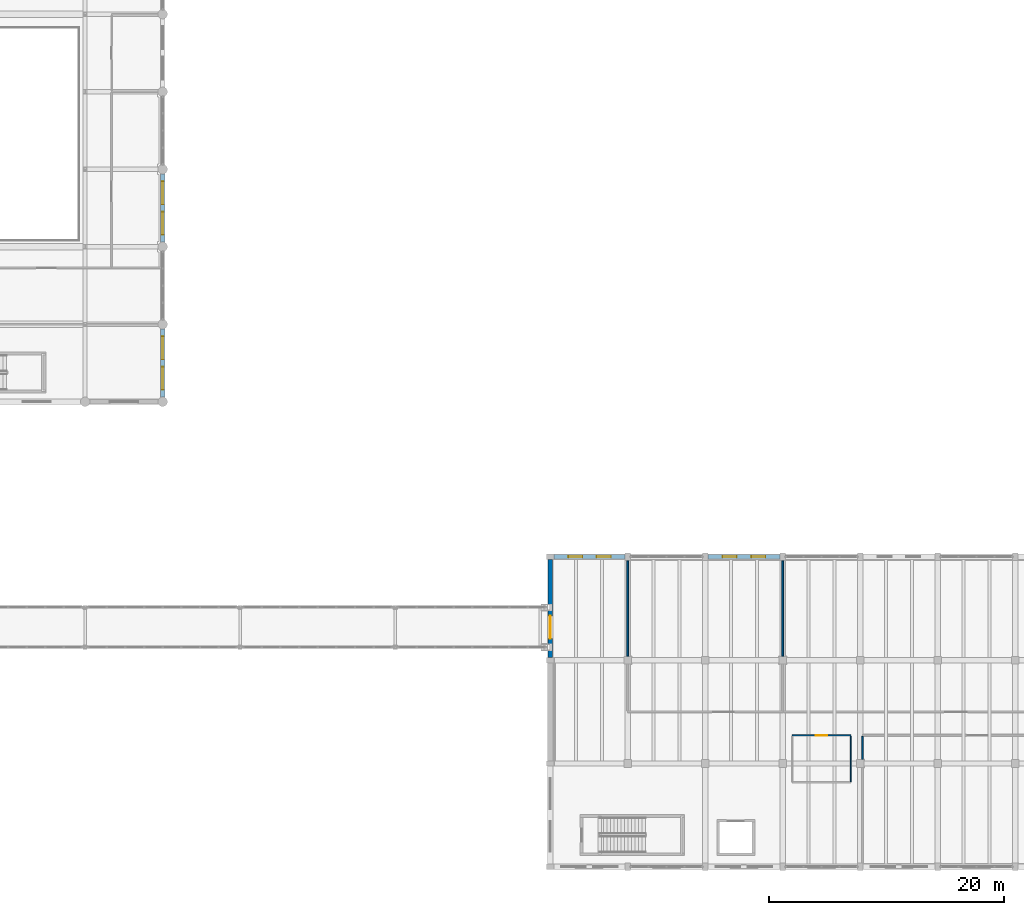
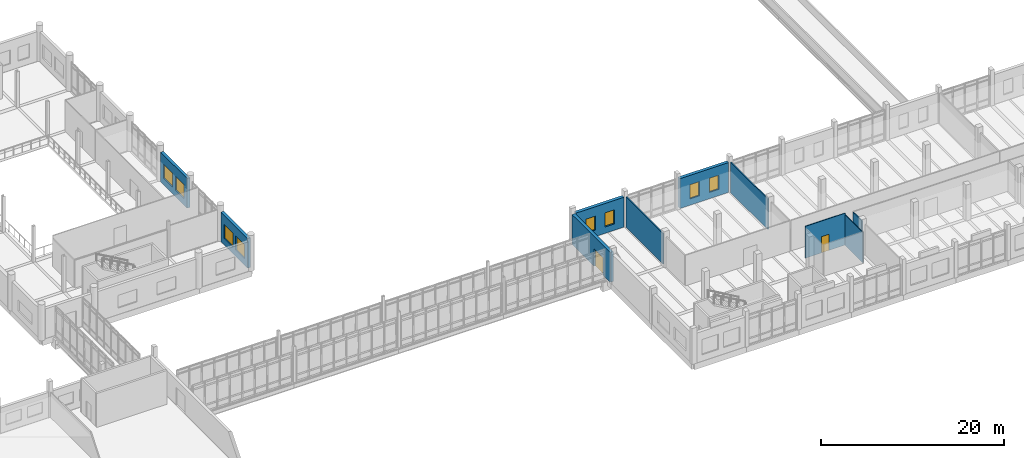
# One storey, part 68 of 101: 10 walls, 8 windows, 2 doors, 10 openings.
"""IFC4 building model written with IfcOpenShell, lengths in metres."""

import ifcopenshell
import ifcopenshell.guid

model = None  # the IFC model being written
_history = None  # IfcOwnerHistory: only IFC2X3 demands one
_inside = {}  # id of a spatial element -> (the spatial element, [elements in it])
_under = {}  # id of a project, library or spatial element -> (it, [spatial elements below it])
_declared = {}  # id of a project -> (the project, [libraries it declares])
_typed = {}  # id of a type object -> (the type object, [elements of that type])
_made_of = {}  # id of a material, layer set ... -> (it, [elements and type objects made of it])


def new_model(schema):
    """Start an empty IFC model of exactly this schema.

    Asked for "IFC4X3", IfcOpenShell would pick the latest addendum, in which some entities
    have other attributes; the version numbers below select the first issue.
    IFC2X3 requires an IfcOwnerHistory on every rooted entity: one is made here for all.
    """
    global model, _history
    if schema == "IFC4X3":
        model = ifcopenshell.file(schema_version=(4, 3, 0, 0))
    else:
        model = ifcopenshell.file(schema=schema)
    _inside.clear()
    _under.clear()
    _declared.clear()
    _typed.clear()
    _made_of.clear()
    _history = None
    if model.schema == "IFC2X3":
        org = make("IfcOrganization", Name="unknown")
        user = make(
            "IfcPersonAndOrganization",
            ThePerson=make("IfcPerson", FamilyName="unknown"),
            TheOrganization=org,
        )
        app = make(
            "IfcApplication",
            ApplicationDeveloper=org,
            Version="unknown",
            ApplicationFullName="unknown",
            ApplicationIdentifier="unknown",
        )
        _history = make(
            "IfcOwnerHistory",
            OwningUser=user,
            OwningApplication=app,
            ChangeAction="ADDED",
            CreationDate=0,
        )
    return model


def make(cls, **values):
    """One entity of the class cls with the attributes given. An attribute that is None is left unset."""
    return model.create_entity(
        cls, **{name: value for name, value in values.items() if value is not None}
    )


def rooted(cls, **values):
    """An entity with a GlobalId (a new one), such as an element, a storey or a relation."""
    return make(cls, GlobalId=ifcopenshell.guid.new(), OwnerHistory=_history, **values)


def si_unit(unit_type, name, prefix=None):
    """IfcSIUnit, for example si_unit("LENGTHUNIT", "METRE", prefix="MILLI")."""
    return make("IfcSIUnit", UnitType=unit_type, Prefix=prefix, Name=name)


def assignment(units):
    """IfcUnitAssignment: the units of a project."""
    return None if units is None else make("IfcUnitAssignment", Units=units)


def point(xyz):
    """IfcCartesianPoint."""
    return None if xyz is None else make("IfcCartesianPoint", Coordinates=xyz)


def direction(xyz):
    """IfcDirection."""
    return None if xyz is None else make("IfcDirection", DirectionRatios=xyz)


def frame(location, z_axis=None, x_axis=None):
    """IfcAxis2Placement3D, a coordinate frame: its origin and axes. An axis left out is left unset."""
    return make(
        "IfcAxis2Placement3D",
        Location=point(location),
        Axis=direction(z_axis),
        RefDirection=direction(x_axis),
    )


def frame_2d(location, x_axis=None):
    """IfcAxis2Placement2D, a coordinate frame in the plane: its origin and x axis."""
    return make(
        "IfcAxis2Placement2D", Location=point(location), RefDirection=direction(x_axis)
    )


def origin():
    """The frame at (0, 0, 0) with its axes left unset."""
    return frame((0.0, 0.0, 0.0))


def place(relative_to, where):
    """IfcLocalPlacement: puts the frame where relative to a parent placement (None: the world)."""
    return make(
        "IfcLocalPlacement", PlacementRelTo=relative_to, RelativePlacement=where
    )


def context(
    kind, dimensions, precision=None, world=None, true_north=None, identifier=None
):
    """IfcGeometricRepresentationContext, for example the 3D "Model" context."""
    return make(
        "IfcGeometricRepresentationContext",
        ContextIdentifier=identifier,
        ContextType=kind,
        CoordinateSpaceDimension=dimensions,
        Precision=precision,
        WorldCoordinateSystem=world,
        TrueNorth=true_north,
    )


def subcontext(parent, identifier, kind, view, scale=None):
    """IfcGeometricRepresentationSubContext, for example "Body" below "Model"."""
    return make(
        "IfcGeometricRepresentationSubContext",
        ContextIdentifier=identifier,
        ContextType=kind,
        ParentContext=parent,
        TargetScale=scale,
        TargetView=view,
    )


def project(units=None, contexts=None):
    """IfcProject with its units and contexts."""
    return rooted(
        "IfcProject",
        Name="project",
        RepresentationContexts=contexts,
        UnitsInContext=assignment(units),
    )


def spatial(cls, under=None, at=None, **own):
    """A site, building, storey or space (cls), placed at a placement, below another one or the project."""
    s = rooted(cls, ObjectPlacement=at, **own)
    if under is not None:
        _under.setdefault(under.id(), (under, []))[1].append(s)
    return s


def profile(cls, at=None, kind="AREA", **sizes):
    """A parametric profile (cls). Its sizes go by their IFC names, for example OverallWidth=200.0."""
    return make(cls, ProfileType=kind, Position=at, **sizes)


def rectangle(**sizes):
    """IfcRectangleProfileDef."""
    return profile("IfcRectangleProfileDef", **sizes)


def extrude(swept, where, along, depth):
    """IfcExtrudedAreaSolid: the profile swept, set in the frame where, extruded along a direction by depth."""
    return make(
        "IfcExtrudedAreaSolid",
        SweptArea=swept,
        Position=where,
        ExtrudedDirection=direction(along),
        Depth=depth,
    )


def shape(context_of_items, identifier, shape_type, items):
    """IfcShapeRepresentation: the items that make up one representation, for example the "Body"."""
    return make(
        "IfcShapeRepresentation",
        ContextOfItems=context_of_items,
        RepresentationIdentifier=identifier,
        RepresentationType=shape_type,
        Items=items,
    )


def material(Name=None, Category=None):
    """IfcMaterial."""
    return make("IfcMaterial", Name=Name, Category=Category)


def layer(
    of_material, thickness, ventilated=None, Name=None, Category=None, Priority=None
):
    """IfcMaterialLayer: one layer of a wall or slab, of a material (None: an air gap)."""
    return make(
        "IfcMaterialLayer",
        Material=of_material,
        LayerThickness=thickness,
        IsVentilated=ventilated,
        Name=Name,
        Category=Category,
        Priority=Priority,
    )


def layer_set(layers, Name=None):
    """IfcMaterialLayerSet."""
    return make("IfcMaterialLayerSet", MaterialLayers=layers, LayerSetName=Name)


def made_of(thing, what):
    """Note that an element or type object is made of a material, layer set ...; save() writes the relation."""
    if what is not None:
        _made_of.setdefault(what.id(), (what, []))[1].append(thing)
    return thing


def type_object(cls, material=None, **own):
    """A type object (cls), such as IfcWallType, which elements share."""
    return made_of(rooted(cls, **own), material)


def element(
    cls,
    number,
    at=None,
    inside=None,
    cuts=None,
    type_object=None,
    material=None,
    context=None,
    identifier="Body",
    shape_type=None,
    held_by="IfcProductDefinitionShape",
    body=None,
    shapes=None,
    **own,
):
    """One element of the class cls, such as IfcWall. Its Tag is "e" and its number.

    at: its placement. inside: the storey or other place that contains it. cuts: it is an
    opening in that element (IfcRelVoidsElement). A single representation is given by context,
    identifier, shape_type and body (its items); several are given by shapes. held_by: the class
    of the entity that holds the representations. save() writes the other relations.
    """
    e = rooted(cls, Tag="e%d" % number, ObjectPlacement=at, **own)
    if body is not None:
        shapes = [shape(context, identifier, shape_type, body)]
    if shapes is not None:
        e.Representation = make(held_by, Representations=shapes)
    if inside is not None:
        _inside.setdefault(inside.id(), (inside, []))[1].append(e)
    if cuts is not None:
        rooted(
            "IfcRelVoidsElement", RelatingBuildingElement=cuts, RelatedOpeningElement=e
        )
    if type_object is not None:
        _typed.setdefault(type_object.id(), (type_object, []))[1].append(e)
    return made_of(e, material)


def fill(opening, filler):
    """IfcRelFillsElement: the door or window that sits in an opening."""
    return rooted(
        "IfcRelFillsElement",
        RelatingOpeningElement=opening,
        RelatedBuildingElement=filler,
    )


def aggregate(whole, parts):
    """IfcRelAggregates: a whole, such as a stair, and the parts it consists of."""
    return rooted("IfcRelAggregates", RelatingObject=whole, RelatedObjects=parts)


def save(model, path):
    """Write the relations noted so far, then the file.

    IfcRelAggregates (storeys below a building ...), IfcRelContainedInSpatialStructure (elements
    in a storey), IfcRelDefinesByType, IfcRelAssociatesMaterial and IfcRelDeclares: one each for
    every whole, place, type object, material and project.
    """
    for whole, parts in _under.values():
        aggregate(whole, parts)
    for where, things in _inside.values():
        rooted(
            "IfcRelContainedInSpatialStructure",
            RelatedElements=things,
            RelatingStructure=where,
        )
    for kind, things in _typed.values():
        rooted("IfcRelDefinesByType", RelatedObjects=things, RelatingType=kind)
    for what, things in _made_of.values():
        rooted("IfcRelAssociatesMaterial", RelatedObjects=things, RelatingMaterial=what)
    for by, libraries in _declared.values():
        rooted("IfcRelDeclares", RelatingContext=by, RelatedDefinitions=libraries)
    model.write(path)


model = new_model("IFC4")

# Units and contexts
model_context = context("Model", 3, precision=1e-05, world=origin(), true_north=direction((0.0, 1.0)))
body_context = subcontext(model_context, "Body", "Model", "MODEL_VIEW")
ifc_project = project(units=[si_unit("LENGTHUNIT", "METRE"), si_unit("AREAUNIT", "SQUARE_METRE"), si_unit("VOLUMEUNIT", "CUBIC_METRE"), si_unit("PLANEANGLEUNIT", "RADIAN"), si_unit("MASSUNIT", "GRAM", prefix="KILO")], contexts=[model_context])

# Site, building, storey
site_placement = place(None, origin())
site = spatial("IfcSite", under=ifc_project, at=site_placement, CompositionType="ELEMENT")
building_placement = place(site_placement, origin())
building = spatial("IfcBuilding", under=site, at=building_placement, Name="Dornvale Research Institute", CompositionType="ELEMENT")
storey_placement = place(building_placement, frame((0.0, 0.0, 10.199951171875)))
storey = spatial("IfcBuildingStorey", under=building, at=storey_placement, Name="L02", CompositionType="ELEMENT", Elevation=10.199951171875)

# Walls
ifc_material_1 = material(Name="Epoxy-Coated Aluminum Honeycomb Cleanroom Partition", Category="aluminium")
ifc_layer_1 = layer(ifc_material_1, 0.139892578125)
ifc_layer_set_1 = layer_set([ifc_layer_1], Name="Epoxy-Coated Aluminum Honeycomb Cleanroom Partition")
wall_type_1 = type_object("IfcWallType", Name="Partition_Cleanroom_140", PredefinedType="PARTITIONING", material=ifc_layer_set_1)
for number, where, z_axis, x_axis, name in (
    (1, (105.60009765625, 17.945068359375, 0.0), (0.0, 0.0, 1.0), (0.0, 1.0, 0.0), "L02 V3 interior partition #293"),
    (2, (118.800048828125, 17.945068359375, 0.0), (0.0, 0.0, 1.0), (0.0, 1.0, 0.0), "L02 V3 interior partition #295"),
):
    element("IfcWall", number, at=place(storey_placement, frame(where, z_axis=z_axis, x_axis=x_axis)), inside=storey, type_object=wall_type_1, Name=name, PredefinedType="PARTITIONING", context=body_context, shape_type="SweptSolid", body=[
        extrude(rectangle(XDim=8.10986328125, YDim=0.139892578125, at=frame_2d((4.054931640625, 0.0))), origin(), (0.0, 0.0, 1.0), 4.06494140625),
    ])
wall_1_placement = place(storey_placement, frame((125.60009765625, 9.14501953125, 0.0), z_axis=(0.0, 0.0, 1.0), x_axis=(0.0, 1.0, 0.0)))
element("IfcWall", 3, at=wall_1_placement, inside=storey, type_object=wall_type_1, Name="L02 V3 interior partition #304", PredefinedType="PARTITIONING", context=body_context, shape_type="SweptSolid", body=[
    extrude(rectangle(XDim=1.969970703125, YDim=0.139892578125, at=frame_2d((0.98486328125, 0.0))), origin(), (0.0, 0.0, 1.0), 4.06494140625),
])

# Wall, opening, door
ifc_material_2 = material(Name="Acoustic Insulated Double-Stud Laboratory Partition")
ifc_layer_2 = layer(ifc_material_2, 0.10009765625)
ifc_layer_set_2 = layer_set([ifc_layer_2], Name="Acoustic Insulated Double-Stud Laboratory Partition")
wall_type_2 = type_object("IfcWallType", Name="Partition_Office_100", PredefinedType="PARTITIONING", material=ifc_layer_set_2)
wall_2_placement = place(storey_placement, frame((119.60009765625, 11.199951171875, 0.0), z_axis=(0.0, 0.0, 1.0), x_axis=(1.0, 0.0, 0.0)))
wall_2 = element("IfcWall", 4, at=wall_2_placement, inside=storey, type_object=wall_type_2, Name="L02 V3 interior partition #288", PredefinedType="PARTITIONING", context=body_context, shape_type="SweptSolid", body=[
    extrude(rectangle(XDim=5.0, YDim=0.10009765625, at=frame_2d((2.5, 0.0))), origin(), (0.0, 0.0, 1.0), 4.2451171875),
])
opening_1_placement = place(wall_2_placement, frame((2.02490234375, 0.0, 0.0)))
opening_1 = element("IfcOpeningElement", 5, at=opening_1_placement, cuts=wall_2, Name="Opening ID-23", PredefinedType="OPENING", context=body_context, shape_type="SweptSolid", body=[
    extrude(rectangle(XDim=0.949951171875, YDim=2.14990234375, at=frame_2d((0.47509765625, 1.074951171875))), frame((0.0, 0.06494140625, 0.0), z_axis=(0.0, -1.0, 0.0), x_axis=(1.0, 0.0, 0.0)), (0.0, 0.0, 1.0), 0.130126953125),
])
ifc_material_3 = material(Name="Phenolic-Faced Solid-Core Laboratory Door Assembly")
door_type_1 = type_object("IfcDoorType", Name="Door_WC_950x2150", OperationType="SINGLE_SWING_LEFT", PredefinedType="DOOR", material=ifc_material_3)
door_1_placement = place(opening_1_placement, origin())
door_1 = element("IfcDoor", 6, at=door_1_placement, inside=storey, type_object=door_type_1, Name="L02 Cleanroom Staff and Accessible Restrooms L02 door #117", OperationType="SINGLE_SWING_RIGHT", OverallHeight=2.14990234375, OverallWidth=0.949951171875, PredefinedType="DOOR", context=body_context, shape_type="SweptSolid", body=[
    extrude(rectangle(XDim=0.949951171875, YDim=2.14990234375, at=frame_2d((0.47509765625, 1.074951171875))), frame((0.0, 0.02490234375, 0.0), z_axis=(0.0, -1.0, 0.0), x_axis=(1.0, 0.0, 0.0)), (0.0, 0.0, 1.0), 0.050048828125),
])
fill(opening_1, door_1)

# Wall
wall_3_placement = place(storey_placement, frame((124.60009765625, 7.264892578125, 0.0), z_axis=(0.0, 0.0, 1.0), x_axis=(0.0, 1.0, 0.0)))
element("IfcWall", 7, at=wall_3_placement, inside=storey, type_object=wall_type_2, Name="L02 V3 interior partition #290", PredefinedType="PARTITIONING", context=body_context, shape_type="SweptSolid", body=[
    extrude(rectangle(XDim=3.8701171875, YDim=0.10009765625, at=frame_2d((1.93505859375, 0.0))), origin(), (0.0, 0.0, 1.0), 4.06494140625),
])

# Wall, openings, windows
ifc_material_4 = material(Name="Catalan Pressed Brick and Insulated Cavity Assembly", Category="masonry")
ifc_layer_3 = layer(ifc_material_4, 0.360107421875)
ifc_layer_set_3 = layer_set([ifc_layer_3], Name="Catalan Pressed Brick and Insulated Cavity Assembly")
wall_type_3 = type_object("IfcWallType", Name="StandardWall_BrickCavity_360", PredefinedType="STANDARD", material=ifc_layer_set_3)
wall_4_placement = place(storey_placement, frame((66.0, 59.0048828125, 0.0), z_axis=(0.0, 0.0, 1.0), x_axis=(0.0, -1.0, 0.0)))
wall_4 = element("IfcWall", 8, at=wall_4_placement, inside=storey, type_object=wall_type_3, Name="L02 V2 east exterior wall #90", PredefinedType="STANDARD", context=body_context, shape_type="SweptSolid", body=[
    extrude(rectangle(XDim=5.809814453125, YDim=0.360107421875, at=frame_2d((2.90478515625, 0.0))), origin(), (0.0, 0.0, 1.0), 3.949951171875),
])
opening_2_placement = place(wall_4_placement, frame((0.63671875, 0.0, 0.85009765625)))
opening_2 = element("IfcOpeningElement", 9, at=opening_2_placement, cuts=wall_4, Name="Opening W-18", PredefinedType="OPENING", context=body_context, shape_type="SweptSolid", body=[
    extrude(rectangle(XDim=1.949951171875, YDim=1.860107421875, at=frame_2d((0.97509765625, 0.93017578125))), frame((0.0, 0.195068359375, 0.0), z_axis=(0.0, -1.0, 0.0), x_axis=(1.0, 0.0, 0.0)), (0.0, 0.0, 1.0), 0.39013671875),
])
opening_3_placement = place(wall_4_placement, frame((3.223388671875, 0.0, 0.85009765625)))
opening_3 = element("IfcOpeningElement", 10, at=opening_3_placement, cuts=wall_4, Name="Opening W-18", PredefinedType="OPENING", context=body_context, shape_type="SweptSolid", body=[
    extrude(rectangle(XDim=1.949951171875, YDim=1.860107421875, at=frame_2d((0.97509765625, 0.93017578125))), frame((0.0, 0.195068359375, 0.0), z_axis=(0.0, -1.0, 0.0), x_axis=(1.0, 0.0, 0.0)), (0.0, 0.0, 1.0), 0.39013671875),
])
ifc_material_5 = material(Name="Low-E Argon Double Insulating Glazing Unit", Category="glass")
window_type_1 = type_object("IfcWindowType", Name="Window_Alu_1950x1860_18", PartitioningType="DOUBLE_PANEL_VERTICAL", PredefinedType="WINDOW", material=ifc_material_5)
window_1_placement = place(opening_2_placement, origin())
window_1 = element("IfcWindow", 11, at=window_1_placement, inside=storey, type_object=window_type_1, Name="L02 V2 facade window W-18 #111", OverallHeight=1.860107421875, OverallWidth=1.949951171875, PartitioningType="DOUBLE_PANEL_VERTICAL", PredefinedType="WINDOW", context=body_context, shape_type="SweptSolid", body=[
    extrude(rectangle(XDim=1.949951171875, YDim=1.860107421875, at=frame_2d((0.97509765625, 0.93017578125))), frame((0.0, 0.030029296875, 0.0), z_axis=(0.0, -1.0, 0.0), x_axis=(1.0, 0.0, 0.0)), (0.0, 0.0, 1.0), 0.06005859375),
])
fill(opening_2, window_1)
window_2_placement = place(opening_3_placement, origin())
window_2 = element("IfcWindow", 12, at=window_2_placement, inside=storey, type_object=window_type_1, Name="L02 V2 facade window W-18 #112", OverallHeight=1.860107421875, OverallWidth=1.949951171875, PartitioningType="DOUBLE_PANEL_VERTICAL", PredefinedType="WINDOW", context=body_context, shape_type="SweptSolid", body=[
    extrude(rectangle(XDim=1.949951171875, YDim=1.860107421875, at=frame_2d((0.97509765625, 0.93017578125))), frame((0.0, 0.030029296875, 0.0), z_axis=(0.0, -1.0, 0.0), x_axis=(1.0, 0.0, 0.0)), (0.0, 0.0, 1.0), 0.06005859375),
])
fill(opening_3, window_2)

wall_5_placement = place(storey_placement, frame((66.0, 45.804931640625, 0.0), z_axis=(0.0, 0.0, 1.0), x_axis=(0.0, -1.0, 0.0)))
wall_5 = element("IfcWall", 13, at=wall_5_placement, inside=storey, type_object=wall_type_3, Name="L02 V2 east exterior wall #91", PredefinedType="STANDARD", context=body_context, shape_type="SweptSolid", body=[
    extrude(rectangle(XDim=5.809814453125, YDim=0.360107421875, at=frame_2d((2.90478515625, 0.0))), origin(), (0.0, 0.0, 1.0), 3.949951171875),
])
opening_4_placement = place(wall_5_placement, frame((0.63671875, 0.0, 0.85009765625)))
opening_4 = element("IfcOpeningElement", 14, at=opening_4_placement, cuts=wall_5, Name="Opening W-18", PredefinedType="OPENING", context=body_context, shape_type="SweptSolid", body=[
    extrude(rectangle(XDim=1.949951171875, YDim=1.860107421875, at=frame_2d((0.97509765625, 0.93017578125))), frame((0.0, 0.195068359375, 0.0), z_axis=(0.0, -1.0, 0.0), x_axis=(1.0, 0.0, 0.0)), (0.0, 0.0, 1.0), 0.39013671875),
])
opening_5_placement = place(wall_5_placement, frame((3.223388671875, 0.0, 0.85009765625)))
opening_5 = element("IfcOpeningElement", 15, at=opening_5_placement, cuts=wall_5, Name="Opening W-18", PredefinedType="OPENING", context=body_context, shape_type="SweptSolid", body=[
    extrude(rectangle(XDim=1.949951171875, YDim=1.860107421875, at=frame_2d((0.97509765625, 0.93017578125))), frame((0.0, 0.195068359375, 0.0), z_axis=(0.0, -1.0, 0.0), x_axis=(1.0, 0.0, 0.0)), (0.0, 0.0, 1.0), 0.39013671875),
])
window_3_placement = place(opening_4_placement, origin())
window_3 = element("IfcWindow", 16, at=window_3_placement, inside=storey, type_object=window_type_1, Name="L02 V2 facade window W-18 #113", OverallHeight=1.860107421875, OverallWidth=1.949951171875, PartitioningType="DOUBLE_PANEL_VERTICAL", PredefinedType="WINDOW", context=body_context, shape_type="SweptSolid", body=[
    extrude(rectangle(XDim=1.949951171875, YDim=1.860107421875, at=frame_2d((0.97509765625, 0.93017578125))), frame((0.0, 0.030029296875, 0.0), z_axis=(0.0, -1.0, 0.0), x_axis=(1.0, 0.0, 0.0)), (0.0, 0.0, 1.0), 0.06005859375),
])
fill(opening_4, window_3)
window_4_placement = place(opening_5_placement, origin())
window_4 = element("IfcWindow", 17, at=window_4_placement, inside=storey, type_object=window_type_1, Name="L02 V2 facade window W-18 #114", OverallHeight=1.860107421875, OverallWidth=1.949951171875, PartitioningType="DOUBLE_PANEL_VERTICAL", PredefinedType="WINDOW", context=body_context, shape_type="SweptSolid", body=[
    extrude(rectangle(XDim=1.949951171875, YDim=1.860107421875, at=frame_2d((0.97509765625, 0.93017578125))), frame((0.0, 0.030029296875, 0.0), z_axis=(0.0, -1.0, 0.0), x_axis=(1.0, 0.0, 0.0)), (0.0, 0.0, 1.0), 0.06005859375),
])
fill(opening_5, window_4)

# Wall, opening, door
ifc_material_6 = material(Name="Precast Concrete f'c 40 MPa (C32/40) and Glazed Terracotta Backup Wall", Category="masonry")
ifc_layer_4 = layer(ifc_material_6, 0.39990234375)
ifc_layer_set_4 = layer_set([ifc_layer_4], Name="Precast Concrete f'c 40 MPa (C32/40) and Glazed Terracotta Backup Wall")
wall_type_4 = type_object("IfcWallType", Name="StandardWall_CleanroomExt_400", PredefinedType="STANDARD", material=ifc_layer_set_4)
wall_6_placement = place(storey_placement, frame((99.0, 17.824951171875, 0.0), z_axis=(0.0, 0.0, 1.0), x_axis=(0.0, 1.0, 0.0)))
wall_6 = element("IfcWall", 18, at=wall_6_placement, inside=storey, type_object=wall_type_4, Name="L02 V3 west exterior wall #150", PredefinedType="STANDARD", context=body_context, shape_type="SweptSolid", body=[
    extrude(rectangle(XDim=8.35009765625, YDim=0.39990234375, at=frame_2d((4.175048828125, 0.0))), origin(), (0.0, 0.0, 1.0), 3.97998046875),
])
opening_6_placement = place(wall_6_placement, frame((1.60009765625, 0.0, 0.0)))
opening_6 = element("IfcOpeningElement", 19, at=opening_6_placement, cuts=wall_6, Name="Opening BD-01", PredefinedType="OPENING", context=body_context, shape_type="SweptSolid", body=[
    extrude(rectangle(XDim=1.949951171875, YDim=2.35009765625, at=frame_2d((0.97509765625, 1.175048828125))), frame((0.0, 0.21484375, 0.0), z_axis=(0.0, -1.0, 0.0), x_axis=(1.0, 0.0, 0.0)), (0.0, 0.0, 1.0), 0.429931640625),
])
ifc_material_7 = material(Name="Galvanized Hollow Metal Insulated Door Assembly")
door_type_2 = type_object("IfcDoorType", Name="Door_BridgeJoint_1950x2350", OperationType="SINGLE_SWING_LEFT", PredefinedType="DOOR", material=ifc_material_7)
door_2_placement = place(opening_6_placement, origin())
door_2 = element("IfcDoor", 20, at=door_2_placement, inside=storey, type_object=door_type_2, Name="L02 V3 skybridge door BD-01 #20", OperationType="DOUBLE_DOOR_SINGLE_SWING", OverallHeight=2.35009765625, OverallWidth=1.949951171875, PredefinedType="DOOR", context=body_context, shape_type="SweptSolid", body=[
    extrude(rectangle(XDim=1.949951171875, YDim=2.35009765625, at=frame_2d((0.97509765625, 1.175048828125))), frame((0.0, 0.02490234375, 0.0), z_axis=(0.0, -1.0, 0.0), x_axis=(1.0, 0.0, 0.0)), (0.0, 0.0, 1.0), 0.050048828125),
])
fill(opening_6, door_2)

# Wall, openings, windows
wall_7_placement = place(storey_placement, frame((99.324951171875, 26.39990234375, 0.0), z_axis=(0.0, 0.0, 1.0), x_axis=(1.0, 0.0, 0.0)))
wall_7 = element("IfcWall", 21, at=wall_7_placement, inside=storey, type_object=wall_type_4, Name="L02 V3 north exterior wall #151", PredefinedType="STANDARD", context=body_context, shape_type="SweptSolid", body=[
    extrude(rectangle(XDim=6.050048828125, YDim=0.39990234375, at=frame_2d((3.02490234375, 0.0))), origin(), (0.0, 0.0, 1.0), 3.97998046875),
])
opening_7_placement = place(wall_7_placement, frame((1.216796875, 0.0, 0.85009765625)))
opening_7 = element("IfcOpeningElement", 22, at=opening_7_placement, cuts=wall_7, Name="Opening W-25", PredefinedType="OPENING", context=body_context, shape_type="SweptSolid", body=[
    extrude(rectangle(XDim=1.199951171875, YDim=1.8798828125, at=frame_2d((0.60009765625, 0.93994140625))), frame((0.0, 0.21484375, 0.0), z_axis=(0.0, -1.0, 0.0), x_axis=(1.0, 0.0, 0.0)), (0.0, 0.0, 1.0), 0.429931640625),
])
opening_8_placement = place(wall_7_placement, frame((3.63330078125, 0.0, 0.85009765625)))
opening_8 = element("IfcOpeningElement", 23, at=opening_8_placement, cuts=wall_7, Name="Opening W-25", PredefinedType="OPENING", context=body_context, shape_type="SweptSolid", body=[
    extrude(rectangle(XDim=1.199951171875, YDim=1.8798828125, at=frame_2d((0.60009765625, 0.93994140625))), frame((0.0, 0.21484375, 0.0), z_axis=(0.0, -1.0, 0.0), x_axis=(1.0, 0.0, 0.0)), (0.0, 0.0, 1.0), 0.429931640625),
])
ifc_material_8 = material(Name="Low-E Argon Double Insulating Glazing Unit", Category="glass")
window_type_2 = type_object("IfcWindowType", Name="Window_Alu_1200x1880_25", PartitioningType="SINGLE_PANEL", PredefinedType="WINDOW", material=ifc_material_8)
window_5_placement = place(opening_7_placement, origin())
window_5 = element("IfcWindow", 24, at=window_5_placement, inside=storey, type_object=window_type_2, Name="L02 V3 facade window W-25 #192", OverallHeight=1.8798828125, OverallWidth=1.199951171875, PartitioningType="SINGLE_PANEL", PredefinedType="WINDOW", context=body_context, shape_type="SweptSolid", body=[
    extrude(rectangle(XDim=1.199951171875, YDim=1.8798828125, at=frame_2d((0.60009765625, 0.93994140625))), frame((0.0, 0.030029296875, 0.0), z_axis=(0.0, -1.0, 0.0), x_axis=(1.0, 0.0, 0.0)), (0.0, 0.0, 1.0), 0.06005859375),
])
fill(opening_7, window_5)
window_6_placement = place(opening_8_placement, origin())
window_6 = element("IfcWindow", 25, at=window_6_placement, inside=storey, type_object=window_type_2, Name="L02 V3 facade window W-25 #193", OverallHeight=1.8798828125, OverallWidth=1.199951171875, PartitioningType="SINGLE_PANEL", PredefinedType="WINDOW", context=body_context, shape_type="SweptSolid", body=[
    extrude(rectangle(XDim=1.199951171875, YDim=1.8798828125, at=frame_2d((0.60009765625, 0.93994140625))), frame((0.0, 0.030029296875, 0.0), z_axis=(0.0, -1.0, 0.0), x_axis=(1.0, 0.0, 0.0)), (0.0, 0.0, 1.0), 0.06005859375),
])
fill(opening_8, window_6)

wall_8_placement = place(storey_placement, frame((112.425048828125, 26.39990234375, 0.0), z_axis=(0.0, 0.0, 1.0), x_axis=(1.0, 0.0, 0.0)))
wall_8 = element("IfcWall", 26, at=wall_8_placement, inside=storey, type_object=wall_type_4, Name="L02 V3 north exterior wall #152", PredefinedType="STANDARD", context=body_context, shape_type="SweptSolid", body=[
    extrude(rectangle(XDim=6.14990234375, YDim=0.39990234375, at=frame_2d((3.074951171875, 0.0))), origin(), (0.0, 0.0, 1.0), 3.97998046875),
])
opening_9_placement = place(wall_8_placement, frame((1.25, 0.0, 0.85009765625)))
opening_9 = element("IfcOpeningElement", 27, at=opening_9_placement, cuts=wall_8, Name="Opening W-25", PredefinedType="OPENING", context=body_context, shape_type="SweptSolid", body=[
    extrude(rectangle(XDim=1.199951171875, YDim=1.8798828125, at=frame_2d((0.60009765625, 0.93994140625))), frame((0.0, 0.21484375, 0.0), z_axis=(0.0, -1.0, 0.0), x_axis=(1.0, 0.0, 0.0)), (0.0, 0.0, 1.0), 0.429931640625),
])
opening_10_placement = place(wall_8_placement, frame((3.699951171875, 0.0, 0.85009765625)))
opening_10 = element("IfcOpeningElement", 28, at=opening_10_placement, cuts=wall_8, Name="Opening W-25", PredefinedType="OPENING", context=body_context, shape_type="SweptSolid", body=[
    extrude(rectangle(XDim=1.199951171875, YDim=1.8798828125, at=frame_2d((0.60009765625, 0.93994140625))), frame((0.0, 0.21484375, 0.0), z_axis=(0.0, -1.0, 0.0), x_axis=(1.0, 0.0, 0.0)), (0.0, 0.0, 1.0), 0.429931640625),
])
window_7_placement = place(opening_9_placement, origin())
window_7 = element("IfcWindow", 29, at=window_7_placement, inside=storey, type_object=window_type_2, Name="L02 V3 facade window W-25 #194", OverallHeight=1.8798828125, OverallWidth=1.199951171875, PartitioningType="SINGLE_PANEL", PredefinedType="WINDOW", context=body_context, shape_type="SweptSolid", body=[
    extrude(rectangle(XDim=1.199951171875, YDim=1.8798828125, at=frame_2d((0.60009765625, 0.93994140625))), frame((0.0, 0.030029296875, 0.0), z_axis=(0.0, -1.0, 0.0), x_axis=(1.0, 0.0, 0.0)), (0.0, 0.0, 1.0), 0.06005859375),
])
fill(opening_9, window_7)
window_8_placement = place(opening_10_placement, origin())
window_8 = element("IfcWindow", 30, at=window_8_placement, inside=storey, type_object=window_type_2, Name="L02 V3 facade window W-25 #195", OverallHeight=1.8798828125, OverallWidth=1.199951171875, PartitioningType="SINGLE_PANEL", PredefinedType="WINDOW", context=body_context, shape_type="SweptSolid", body=[
    extrude(rectangle(XDim=1.199951171875, YDim=1.8798828125, at=frame_2d((0.60009765625, 0.93994140625))), frame((0.0, 0.030029296875, 0.0), z_axis=(0.0, -1.0, 0.0), x_axis=(1.0, 0.0, 0.0)), (0.0, 0.0, 1.0), 0.06005859375),
])
fill(opening_10, window_8)

save(model, "model.ifc")
